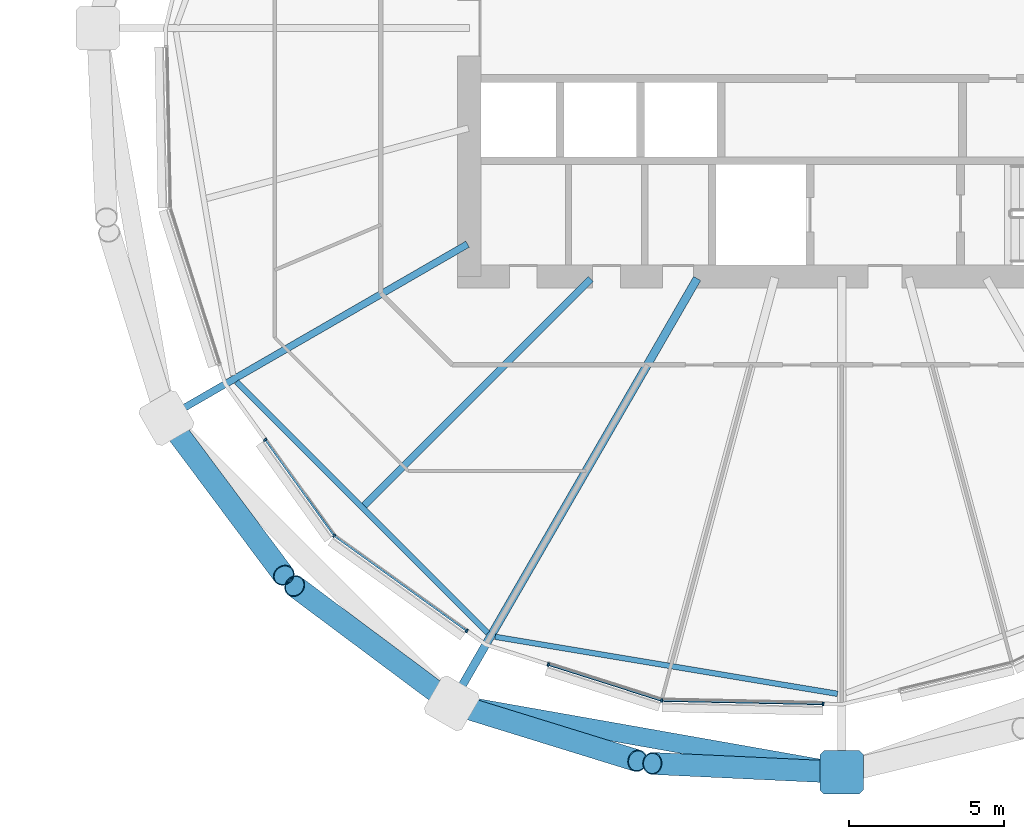
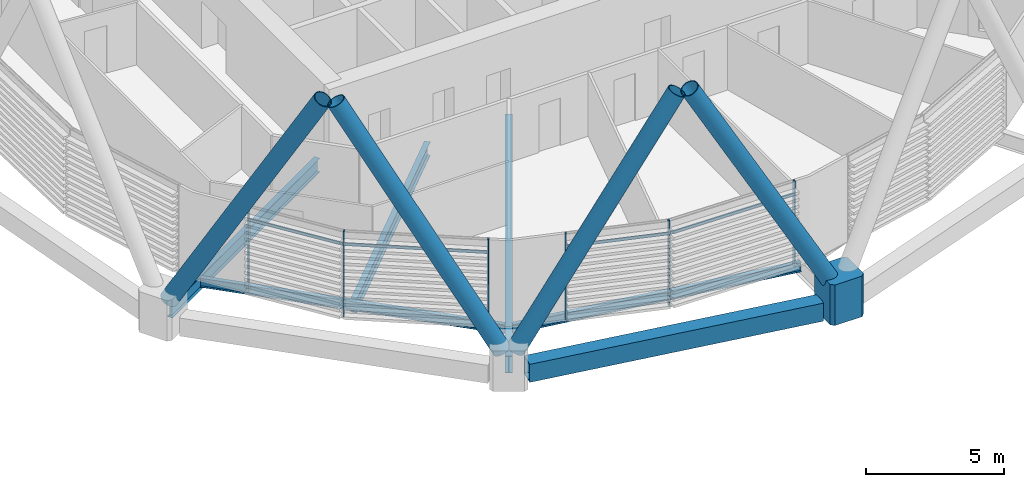
# One storey, part 16 of 39: 15 members, 6 beams, 1 element without a shape of its own.
"""IFC4 building model written with IfcOpenShell, lengths in metres."""

from ifc_helpers import new_model, si_unit, direction, frame, origin, origin_2d, place, context, subcontext, project, spatial, polyline, rectangle, hollow_rectangle, hollow_circle, i_section, outline, extrude, material, material_profile, profile_set, type_object, element, aggregate, save


model = new_model("IFC4")

# Units and contexts
model_context = context("Model", 3, precision=1e-05, world=origin(), true_north=direction((0.0, 1.0)))
body_context = subcontext(model_context, "Body", "Model", "MODEL_VIEW")
ifc_project = project(units=[si_unit("LENGTHUNIT", "METRE"), si_unit("AREAUNIT", "SQUARE_METRE"), si_unit("VOLUMEUNIT", "CUBIC_METRE"), si_unit("PLANEANGLEUNIT", "RADIAN"), si_unit("MASSUNIT", "GRAM", prefix="KILO")], contexts=[model_context])

# Site, building, storey
site_placement = place(None, origin())
site = spatial("IfcSite", under=ifc_project, at=site_placement, CompositionType="ELEMENT")
building_placement = place(site_placement, origin())
building = spatial("IfcBuilding", under=site, at=building_placement, Name="Rimbun Link Towers", CompositionType="ELEMENT")
storey_placement = place(building_placement, frame((0.0, 0.0, 115.800048828125)))
storey = spatial("IfcBuildingStorey", under=building, at=storey_placement, Name="L28", CompositionType="ELEMENT", Elevation=115.800048828125)

# Curtain wall, members
ifc_material_1 = material(Name="Aluminium 6063-T6 and low-iron glass", Category="aluminium")
curtain_wall_type = type_object("IfcCurtainWallType", Name="CW1-Z2 unitised vision wall (zone 2)", PredefinedType="NOTDEFINED", material=ifc_material_1)
curtain_wall_placement = place(storey_placement, origin())
curtain_wall = element("IfcCurtainWall", 1, at=curtain_wall_placement, inside=storey, type_object=curtain_wall_type, Name="CW1 L28 T2", PredefinedType="NOTDEFINED")
ifc_material_2 = material(Name="Aluminium 6063-T6", Category="aluminium")
ifc_material_profile_1 = material_profile(ifc_material_2, rectangle(XDim=0.1201171875, YDim=0.06005859375, at=origin_2d()), Name="MULLION 60X120")
ifc_profile_set_1 = profile_set([ifc_material_profile_1], Name="Aluminium 6063-T6")
member_type_1 = type_object("IfcMemberType", Name="CW1 mullion 60X120", PredefinedType="MULLION", material=ifc_profile_set_1)
member_1_placement = place(storey_placement, frame((15.39404296875, -16.35595703125, 0.0), z_axis=(0.0, 0.0, 1.0), x_axis=(-0.707106781187, -0.707106781187, 0.0)))
member_1 = element("IfcMember", 2, at=member_1_placement, type_object=member_type_1, Name="CW1 mullion", PredefinedType="MULLION", context=body_context, shape_type="SweptSolid", body=[
    extrude(rectangle(XDim=0.1201171875, YDim=0.06005859375, at=origin_2d()), origin(), (0.0, 0.0, 1.0), 3.800048828125),
])
member_2_placement = place(storey_placement, frame((13.171875, -13.2607421875, 0.0), z_axis=(0.0, 0.0, 1.0), x_axis=(-0.812469264421, -0.583004026034, 0.0)))
member_2 = element("IfcMember", 3, at=member_2_placement, type_object=member_type_1, Name="CW1 mullion", PredefinedType="MULLION", context=body_context, shape_type="SweptSolid", body=[
    extrude(rectangle(XDim=0.1201171875, YDim=0.06005859375, at=origin_2d()), origin(), (0.0, 0.0, 1.0), 3.800048828125),
])
member_3_placement = place(storey_placement, frame((19.667236328125, -19.42333984375, 0.0), z_axis=(0.0, 0.0, 1.0), x_axis=(-0.583004026034, -0.812469264421, 0.0)))
member_3 = element("IfcMember", 4, at=member_3_placement, type_object=member_type_1, Name="CW1 mullion", PredefinedType="MULLION", context=body_context, shape_type="SweptSolid", body=[
    extrude(rectangle(XDim=0.1201171875, YDim=0.06005859375, at=origin_2d()), origin(), (0.0, 0.0, 1.0), 3.800048828125),
])
member_4_placement = place(storey_placement, frame((25.9501953125, -21.66748046875, 0.0), z_axis=(0.0, 0.0, 1.0), x_axis=(-0.163751300484, -0.98650165311, 0.0)))
member_4 = element("IfcMember", 5, at=member_4_placement, type_object=member_type_1, Name="CW1 mullion", PredefinedType="MULLION", context=body_context, shape_type="SweptSolid", body=[
    extrude(rectangle(XDim=0.1201171875, YDim=0.06005859375, at=origin_2d()), origin(), (0.0, 0.0, 1.0), 3.800048828125),
])
member_5_placement = place(storey_placement, frame((22.294677734375, -20.505615234375, 0.0), z_axis=(0.0, 0.0, 1.0), x_axis=(-0.303073433186, -0.952967205153, 0.0)))
member_5 = element("IfcMember", 6, at=member_5_placement, type_object=member_type_1, Name="CW1 mullion", PredefinedType="MULLION", context=body_context, shape_type="SweptSolid", body=[
    extrude(rectangle(XDim=0.1201171875, YDim=0.06005859375, at=origin_2d()), origin(), (0.0, 0.0, 1.0), 3.800048828125),
])
member_6_placement = place(storey_placement, frame((31.14892578125, -21.777587890625, 0.0), z_axis=(0.0, 0.0, 1.0), x_axis=(-0.02106649948, -0.999778076675, 0.0)))
member_6 = element("IfcMember", 7, at=member_6_placement, type_object=member_type_1, Name="CW1 mullion", PredefinedType="MULLION", context=body_context, shape_type="SweptSolid", body=[
    extrude(rectangle(XDim=0.1201171875, YDim=0.06005859375, at=origin_2d()), origin(), (0.0, 0.0, 1.0), 3.800048828125),
])
ifc_material_3 = material(Name="Aluminium 6063-T6", Category="aluminium")
ifc_material_profile_2 = material_profile(ifc_material_3, rectangle(XDim=0.06005859375, YDim=0.1201171875, at=origin_2d()), Name="TRANSOM 60X120")
ifc_profile_set_2 = profile_set([ifc_material_profile_2], Name="Aluminium 6063-T6")
member_type_2 = type_object("IfcMemberType", Name="CW1 transom 60X120", PredefinedType="USERDEFINED", material=ifc_profile_set_2)
member_7_placement = place(storey_placement, frame((15.371826171875, -16.322998046875, 3.199951171875), z_axis=(-0.582990310005, 0.812479106464, 0.0), x_axis=(-0.812479106464, -0.582990310005, 0.0)))
member_7 = element("IfcMember", 8, at=member_7_placement, type_object=member_type_2, Name="CW1 transom", ObjectType="TRANSOM", PredefinedType="USERDEFINED", context=body_context, shape_type="SweptSolid", body=[
    extrude(rectangle(XDim=0.06005859375, YDim=0.1201171875, at=origin_2d()), origin(), (0.0, 0.0, 1.0), 3.740478515625),
])
member_8_placement = place(storey_placement, frame((19.64404296875, -19.404296875, 3.199951171875), z_axis=(-0.812460270019, 0.583016560348, 0.0), x_axis=(-0.583016560348, -0.812460270019, 0.0)))
member_8 = element("IfcMember", 9, at=member_8_placement, type_object=member_type_2, Name="CW1 transom", ObjectType="TRANSOM", PredefinedType="USERDEFINED", context=body_context, shape_type="SweptSolid", body=[
    extrude(rectangle(XDim=0.06005859375, YDim=0.1201171875, at=origin_2d()), origin(), (0.0, 0.0, 1.0), 5.1904296875),
])
member_9_placement = place(storey_placement, frame((25.913818359375, -21.654541015625, 3.199951171875), z_axis=(-0.952960668818, 0.303093984907, 0.0), x_axis=(-0.303093984907, -0.952960668818, 0.0)))
member_9 = element("IfcMember", 10, at=member_9_placement, type_object=member_type_2, Name="CW1 transom", ObjectType="TRANSOM", PredefinedType="USERDEFINED", context=body_context, shape_type="SweptSolid", body=[
    extrude(rectangle(XDim=0.06005859375, YDim=0.1201171875, at=origin_2d()), origin(), (0.0, 0.0, 1.0), 3.767333984375),
])
member_10_placement = place(storey_placement, frame((31.118896484375, -21.77490234375, 3.199951171875), z_axis=(-0.999778846236, 0.02102994575, 0.0), x_axis=(-0.02102994575, -0.999778846236, 0.0)))
member_10 = element("IfcMember", 11, at=member_10_placement, type_object=member_type_2, Name="CW1 transom", ObjectType="TRANSOM", PredefinedType="USERDEFINED", context=body_context, shape_type="SweptSolid", body=[
    extrude(rectangle(XDim=0.06005859375, YDim=0.1201171875, at=origin_2d()), origin(), (0.0, 0.0, 1.0), 5.13134765625),
])
aggregate(curtain_wall, [member_1, member_2, member_3, member_4, member_5, member_6, member_7, member_8, member_9, member_10])

# Members
ifc_material_4 = material(Name="Steel S460NH", Category="steel")
ifc_material_profile_3 = material_profile(ifc_material_4, hollow_circle(Radius=0.355712890625, WallThickness=0.031982421875, at=origin_2d()), Name="Diagrid diagonal CHS 711x32")
ifc_profile_set_3 = profile_set([ifc_material_profile_3], Name="Steel S460NH")
member_type_3 = type_object("IfcMemberType", Name="Diagrid diagonal CHS 711x32", PredefinedType="BRACE", material=ifc_profile_set_3)
for number, where, z_axis, x_axis, name in (
    (12, (10.138916015625, -12.763427734375, 0.43310546875), (0.298707794473, -0.400231497677, 0.866365051112), (0.801406649139, 0.598119873199, 0.0), "Diagrid diagonal T2 L28-L31 11b"),
    (13, (18.986572265625, -21.611083984375, 0.43310546875), (-0.400231497677, 0.298707794473, 0.866365051112), (-0.598119873199, -0.801406649139, 0.0), "Diagrid diagonal T2 L28-L31 13a"),
):
    element("IfcMember", number, at=place(storey_placement, frame(where, z_axis=z_axis, x_axis=x_axis)), inside=storey, type_object=member_type_3, Name=name, PredefinedType="BRACE", context=body_context, shape_type="SweptSolid", body=[
        extrude(hollow_circle(Radius=0.355712890625, WallThickness=0.031982421875, at=origin_2d()), origin(), (0.0, 0.0, 1.0), 12.158447265625),
    ])
member_11_placement = place(storey_placement, frame((19.42333984375, -21.833740234375, 0.43408203125), z_axis=(0.473663151536, -0.146419249453, 0.868449550789), x_axis=(0.295332553592, 0.95539451683, 0.0)))
element("IfcMember", 14, at=member_11_placement, inside=storey, type_object=member_type_3, Name="Diagrid diagonal T2 L28-L31 13b", PredefinedType="BRACE", context=body_context, shape_type="SweptSolid", body=[
    extrude(hollow_circle(Radius=0.355712890625, WallThickness=0.031982421875, at=origin_2d()), origin(), (0.0, 0.0, 1.0), 12.126953125),
])
member_12_placement = place(storey_placement, frame((31.5068359375, -23.968994140625, 0.436767578125), z_axis=(-0.486238632497, 0.022832955784, 0.87352770328), x_axis=(-0.04690664524, -0.998899277521, 0.0)))
element("IfcMember", 15, at=member_12_placement, inside=storey, type_object=member_type_3, Name="Diagrid diagonal T2 L28-L31 15a", PredefinedType="BRACE", context=body_context, shape_type="SweptSolid", body=[
    extrude(hollow_circle(Radius=0.355712890625, WallThickness=0.031982421875, at=origin_2d()), origin(), (0.0, 0.0, 1.0), 12.05029296875),
])
ifc_material_5 = material(Name="Cast steel G20Mn5+QT, Rp0.2 300 MPa", Category="steel")
ifc_material_profile_4 = material_profile(ifc_material_5, outline(polyline([(0.699951171875, -0.570068359375), (0.699951171875, 0.570068359375), (0.570068359375, 0.699951171875), (-0.570068359375, 0.699951171875), (-0.699951171875, 0.570068359375), (-0.699951171875, -0.570068359375), (-0.570068359375, -0.699951171875), (0.570068359375, -0.699951171875), (0.699951171875, -0.570068359375)])), Name="NODE 1400x1400")
ifc_profile_set_4 = profile_set([ifc_material_profile_4], Name="Cast steel G20Mn5+QT, Rp0.2 300 MPa")
member_type_4 = type_object("IfcMemberType", Name="Diagrid node cast 1400", PredefinedType="USERDEFINED", material=ifc_profile_set_4)
member_13_placement = place(storey_placement, frame((31.75, -23.980224609375, -0.900146484375), z_axis=(0.0, 0.0, 1.0), x_axis=(0.0, -1.0, 0.0)))
element("IfcMember", 16, at=member_13_placement, inside=storey, type_object=member_type_4, Name="Diagrid node L28 15", ObjectType="Diagrid node", PredefinedType="USERDEFINED", context=body_context, shape_type="SweptSolid", body=[
    extrude(outline(polyline([(0.699951171875, -0.570068359375), (0.699951171875, 0.570068359375), (0.570068359375, 0.699951171875), (-0.570068359375, 0.699951171875), (-0.699951171875, 0.570068359375), (-0.699951171875, -0.570068359375), (-0.570068359375, -0.699951171875), (0.570068359375, -0.699951171875), (0.699951171875, -0.570068359375)])), origin(), (0.0, 0.0, 1.0), 1.800048828125),
])

# Beams
ifc_material_6 = material(Name="Steel S355J2", Category="steel")
ifc_material_profile_5 = material_profile(ifc_material_6, hollow_rectangle(XDim=0.60009765625, YDim=0.800048828125, WallThickness=0.0400390625, at=origin_2d()), Name="Exoskeleton ring girder BOX 600x800x40")
ifc_profile_set_5 = profile_set([ifc_material_profile_5], Name="Steel S355J2")
beam_type_1 = type_object("IfcBeamType", Name="Exoskeleton ring girder BOX 600x800x40", PredefinedType="BEAM", material=ifc_profile_set_5)
beam_1_placement = place(storey_placement, frame((19.8759765625, -21.88232421875, -0.56005859375), z_axis=(0.984749133137, -0.173980299994, 0.0), x_axis=(0.173980299994, 0.984749133137, 0.0)))
element("IfcBeam", 17, at=beam_1_placement, inside=storey, type_object=beam_type_1, Name="Exoskeleton ring girder L28 06", PredefinedType="BEAM", context=body_context, shape_type="SweptSolid", body=[
    extrude(hollow_rectangle(XDim=0.60009765625, YDim=0.800048828125, WallThickness=0.0400390625, at=origin_2d()), origin(), (0.0, 0.0, 1.0), 11.358154296875),
])
ifc_material_7 = material(Name="Steel S355J2", Category="steel")
ifc_material_profile_6 = material_profile(ifc_material_7, i_section(OverallWidth=0.177978515625, OverallDepth=0.406494140625, WebThickness=0.0078125, FlangeThickness=0.0126953125, at=origin_2d()), Name="UB 406x178x60")
ifc_profile_set_6 = profile_set([ifc_material_profile_6], Name="Steel S355J2")
beam_type_2 = type_object("IfcBeamType", Name="UB 406x178x60", PredefinedType="BEAM", material=ifc_profile_set_6)
beam_2_placement = place(storey_placement, frame((12.243896484375, -11.39453125, -0.36328125), z_axis=(0.707106781187, -0.707106781187, 0.0), x_axis=(0.707106781187, 0.707106781187, 0.0)))
element("IfcBeam", 18, at=beam_2_placement, inside=storey, type_object=beam_type_2, Name="Edge beam T2 L28 11-13", PredefinedType="BEAM", context=body_context, shape_type="SweptSolid", body=[
    extrude(i_section(OverallWidth=0.177978515625, OverallDepth=0.406494140625, WebThickness=0.0078125, FlangeThickness=0.0126953125, at=origin_2d()), origin(), (0.0, 0.0, 1.0), 11.451416015625),
])
beam_3_placement = place(storey_placement, frame((20.5810546875, -19.61376953125, -0.36328125), z_axis=(0.986422222025, -0.164229107941, 0.0), x_axis=(0.164229107941, 0.986422222025, 0.0)))
element("IfcBeam", 19, at=beam_3_placement, inside=storey, type_object=beam_type_2, Name="Edge beam T2 L28 13-15", PredefinedType="BEAM", context=body_context, shape_type="SweptSolid", body=[
    extrude(i_section(OverallWidth=0.177978515625, OverallDepth=0.406494140625, WebThickness=0.0078125, FlangeThickness=0.0126953125, at=origin_2d()), origin(), (0.0, 0.0, 1.0), 11.1865234375),
])
ifc_material_8 = material(Name="Steel S355J2", Category="steel")
ifc_material_profile_7 = material_profile(ifc_material_8, i_section(OverallWidth=0.2275390625, OverallDepth=0.6025390625, WebThickness=0.010498046875, FlangeThickness=0.014892578125, at=origin_2d()), Name="UB 610x229x101")
ifc_profile_set_7 = profile_set([ifc_material_profile_7], Name="Steel S355J2")
beam_type_3 = type_object("IfcBeamType", Name="UB 610x229x101", PredefinedType="BEAM", material=ifc_profile_set_7)
beam_4_placement = place(storey_placement, frame((19.692138671875, -6.96142578125, -0.46142578125), z_axis=(-0.866013897511, -0.50001992892, 0.0), x_axis=(0.50001992892, -0.866013897511, 0.0)))
element("IfcBeam", 20, at=beam_4_placement, inside=storey, type_object=beam_type_3, Name="Radial beam T2 L28 11", PredefinedType="BEAM", context=body_context, shape_type="SweptSolid", body=[
    extrude(i_section(OverallWidth=0.2275390625, OverallDepth=0.6025390625, WebThickness=0.010498046875, FlangeThickness=0.014892578125, at=origin_2d()), origin(), (0.0, 0.0, 1.0), 10.70361328125),
])
beam_5_placement = place(storey_placement, frame((23.668701171875, -8.081298828125, -0.46142578125), z_axis=(-0.707106781187, -0.707106781187, 0.0), x_axis=(0.707106781187, -0.707106781187, 0.0)))
element("IfcBeam", 21, at=beam_5_placement, inside=storey, type_object=beam_type_3, Name="Radial beam T2 L28 12", PredefinedType="BEAM", context=body_context, shape_type="SweptSolid", body=[
    extrude(i_section(OverallWidth=0.2275390625, OverallDepth=0.6025390625, WebThickness=0.010498046875, FlangeThickness=0.014892578125, at=origin_2d()), origin(), (0.0, 0.0, 1.0), 10.33154296875),
])
ifc_material_9 = material(Name="Steel S355J2", Category="steel")
ifc_material_profile_8 = material_profile(ifc_material_9, i_section(OverallWidth=0.2666015625, OverallDepth=0.76220703125, WebThickness=0.014404296875, FlangeThickness=0.021484375, at=origin_2d()), Name="UB 762x267x173")
ifc_profile_set_8 = profile_set([ifc_material_profile_8], Name="Steel S355J2")
beam_type_4 = type_object("IfcBeamType", Name="UB 762x267x173", PredefinedType="BEAM", material=ifc_profile_set_8)
beam_6_placement = place(storey_placement, frame((27.09228515625, -8.0673828125, -0.541259765625), z_axis=(-0.500004482496, -0.866022815799, 0.0), x_axis=(0.866022815799, -0.500004482496, 0.0)))
element("IfcBeam", 22, at=beam_6_placement, inside=storey, type_object=beam_type_4, Name="Radial beam T2 L28 13", PredefinedType="BEAM", context=body_context, shape_type="SweptSolid", body=[
    extrude(i_section(OverallWidth=0.2666015625, OverallDepth=0.76220703125, WebThickness=0.014404296875, FlangeThickness=0.021484375, at=origin_2d()), origin(), (0.0, 0.0, 1.0), 15.311279296875),
])

save(model, "model.ifc")
